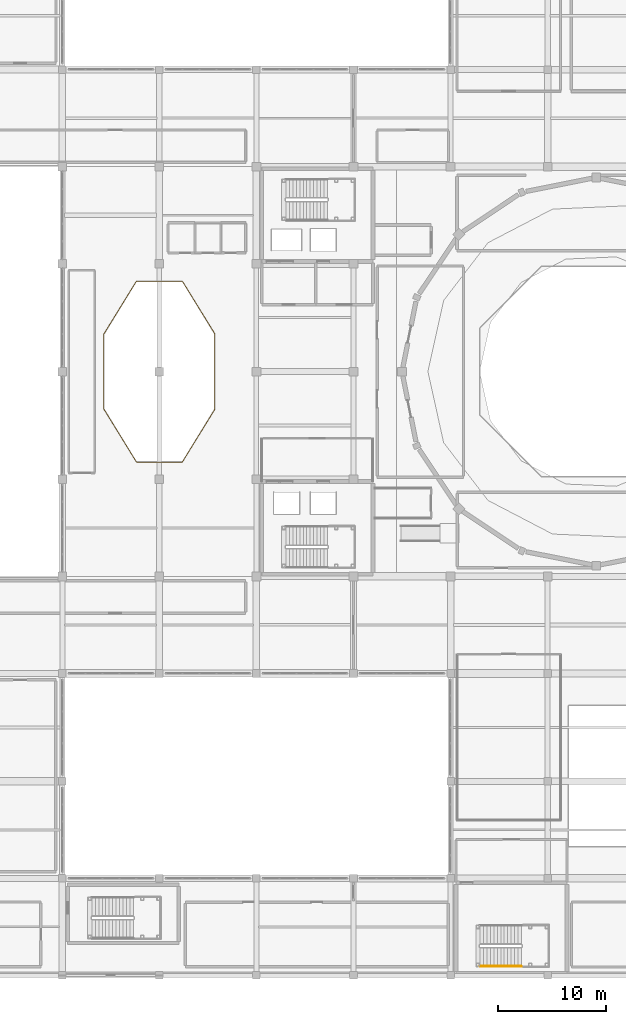
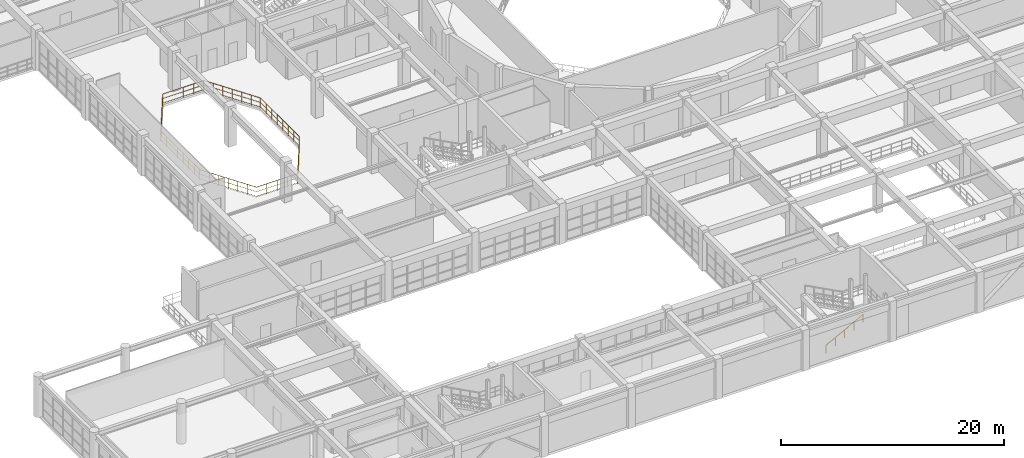
# One storey, part 122 of 133: 2 railings.
"""IFC4 building model written with IfcOpenShell, lengths in metres."""

from ifc_helpers import new_model, si_unit, direction, frame, origin, origin_2d, place, context, subcontext, project, spatial, circle, extrude, material, type_object, element, save


model = new_model("IFC4")

# Units and contexts
model_context = context("Model", 3, precision=1e-05, world=origin(), true_north=direction((0.0, 1.0)))
body_context = subcontext(model_context, "Body", "Model", "MODEL_VIEW")
ifc_project = project(units=[si_unit("LENGTHUNIT", "METRE"), si_unit("AREAUNIT", "SQUARE_METRE"), si_unit("VOLUMEUNIT", "CUBIC_METRE"), si_unit("PLANEANGLEUNIT", "RADIAN"), si_unit("MASSUNIT", "GRAM", prefix="KILO")], contexts=[model_context])

# Site, building, storey
site_placement = place(None, origin())
site = spatial("IfcSite", under=ifc_project, at=site_placement, CompositionType="ELEMENT")
building_placement = place(site_placement, origin())
building = spatial("IfcBuilding", under=site, at=building_placement, Name="Miravela Opera House", CompositionType="ELEMENT")
storey_placement = place(building_placement, frame((0.0, 0.0, 5.10009765625)))
storey = spatial("IfcBuildingStorey", under=building, at=storey_placement, Name="L01", CompositionType="ELEMENT", Elevation=5.10009765625)

# Railings
ifc_material_1 = material(Name="Architectural bronze foyer balustrade")
railing_type_1 = type_object("IfcRailingType", Name="ARC-RAIL-ATRIUM-BAL", PredefinedType="BALUSTRADE", material=ifc_material_1)
railing_1_placement = place(storey_placement, frame((41.1474609375, 59.489013671875, 0.0)))
element("IfcRailing", 1, at=railing_1_placement, inside=storey, type_object=railing_type_1, Name="L01 Void Perimeter Balustrade 0153", PredefinedType="BALUSTRADE", context=body_context, shape_type="SweptSolid", body=[
    extrude(circle(Radius=0.02587890625, at=origin_2d()), frame((0.0, 0.0, 1.11376953125), z_axis=(-0.524773552974, 0.851241868154, 0.0), x_axis=(-0.851241868154, -0.524773552974, 0.0)), (0.0, 0.0, 1.0), 5.760498046875),
    extrude(circle(Radius=0.01611328125, at=origin_2d()), frame((0.0, 0.0, 0.626953125), z_axis=(-0.524773552974, 0.851241868154, 0.0), x_axis=(-0.851241868154, -0.524773552974, 0.0)), (0.0, 0.0, 1.0), 5.760498046875),
    extrude(circle(Radius=0.01611328125, at=origin_2d()), frame((0.0, 0.0, 0.1201171875), z_axis=(-0.524773552974, 0.851241868154, 0.0), x_axis=(-0.851241868154, -0.524773552974, 0.0)), (0.0, 0.0, 1.0), 5.760498046875),
    extrude(circle(Radius=0.02587890625, at=origin_2d()), frame((-3.02294921875, 4.903564453125, 1.11376953125), z_axis=(-1.0, 0.0, 0.0), x_axis=(0.0, -1.0, 0.0)), (0.0, 0.0, 1.0), 4.2490234375),
    extrude(circle(Radius=0.01611328125, at=origin_2d()), frame((-3.02294921875, 4.903564453125, 0.626953125), z_axis=(-1.0, 0.0, 0.0), x_axis=(0.0, -1.0, 0.0)), (0.0, 0.0, 1.0), 4.2490234375),
    extrude(circle(Radius=0.01611328125, at=origin_2d()), frame((-3.02294921875, 4.903564453125, 0.1201171875), z_axis=(-1.0, 0.0, 0.0), x_axis=(0.0, -1.0, 0.0)), (0.0, 0.0, 1.0), 4.2490234375),
    extrude(circle(Radius=0.02587890625, at=origin_2d()), frame((-7.27197265625, 4.903564453125, 1.11376953125), z_axis=(-0.524773552974, -0.851241868154, 0.0), x_axis=(0.851241868154, -0.524773552974, 0.0)), (0.0, 0.0, 1.0), 5.760498046875),
    extrude(circle(Radius=0.01611328125, at=origin_2d()), frame((-7.27197265625, 4.903564453125, 0.626953125), z_axis=(-0.524773552974, -0.851241868154, 0.0), x_axis=(0.851241868154, -0.524773552974, 0.0)), (0.0, 0.0, 1.0), 5.760498046875),
    extrude(circle(Radius=0.01611328125, at=origin_2d()), frame((-7.27197265625, 4.903564453125, 0.1201171875), z_axis=(-0.524773552974, -0.851241868154, 0.0), x_axis=(0.851241868154, -0.524773552974, 0.0)), (0.0, 0.0, 1.0), 5.760498046875),
    extrude(circle(Radius=0.02587890625, at=origin_2d()), frame((-10.294921875, 0.0, 1.11376953125), z_axis=(0.0, -1.0, 0.0), x_axis=(1.0, 0.0, 0.0)), (0.0, 0.0, 1.0), 6.97802734375),
    extrude(circle(Radius=0.01611328125, at=origin_2d()), frame((-10.294921875, 0.0, 0.626953125), z_axis=(0.0, -1.0, 0.0), x_axis=(1.0, 0.0, 0.0)), (0.0, 0.0, 1.0), 6.97802734375),
    extrude(circle(Radius=0.01611328125, at=origin_2d()), frame((-10.294921875, 0.0, 0.1201171875), z_axis=(0.0, -1.0, 0.0), x_axis=(1.0, 0.0, 0.0)), (0.0, 0.0, 1.0), 6.97802734375),
    extrude(circle(Radius=0.02587890625, at=origin_2d()), frame((-10.294921875, -6.97802734375, 1.11376953125), z_axis=(0.524773552974, -0.851241868154, 0.0), x_axis=(0.851241868154, 0.524773552974, 0.0)), (0.0, 0.0, 1.0), 5.760498046875),
    extrude(circle(Radius=0.01611328125, at=origin_2d()), frame((-10.294921875, -6.97802734375, 0.626953125), z_axis=(0.524773552974, -0.851241868154, 0.0), x_axis=(0.851241868154, 0.524773552974, 0.0)), (0.0, 0.0, 1.0), 5.760498046875),
    extrude(circle(Radius=0.01611328125, at=origin_2d()), frame((-10.294921875, -6.97802734375, 0.1201171875), z_axis=(0.524773552974, -0.851241868154, 0.0), x_axis=(0.851241868154, 0.524773552974, 0.0)), (0.0, 0.0, 1.0), 5.760498046875),
    extrude(circle(Radius=0.02587890625, at=origin_2d()), frame((-7.27197265625, -11.881591796875, 1.11376953125), z_axis=(1.0, 0.0, 0.0), x_axis=(0.0, 1.0, 0.0)), (0.0, 0.0, 1.0), 4.2490234375),
    extrude(circle(Radius=0.01611328125, at=origin_2d()), frame((-7.27197265625, -11.881591796875, 0.626953125), z_axis=(1.0, 0.0, 0.0), x_axis=(0.0, 1.0, 0.0)), (0.0, 0.0, 1.0), 4.2490234375),
    extrude(circle(Radius=0.01611328125, at=origin_2d()), frame((-7.27197265625, -11.881591796875, 0.1201171875), z_axis=(1.0, 0.0, 0.0), x_axis=(0.0, 1.0, 0.0)), (0.0, 0.0, 1.0), 4.2490234375),
    extrude(circle(Radius=0.02587890625, at=origin_2d()), frame((-3.02294921875, -11.881591796875, 1.11376953125), z_axis=(0.524773552974, 0.851241868154, 0.0), x_axis=(-0.851241868154, 0.524773552974, 0.0)), (0.0, 0.0, 1.0), 5.760498046875),
    extrude(circle(Radius=0.01611328125, at=origin_2d()), frame((-3.02294921875, -11.881591796875, 0.626953125), z_axis=(0.524773552974, 0.851241868154, 0.0), x_axis=(-0.851241868154, 0.524773552974, 0.0)), (0.0, 0.0, 1.0), 5.760498046875),
    extrude(circle(Radius=0.01611328125, at=origin_2d()), frame((-3.02294921875, -11.881591796875, 0.1201171875), z_axis=(0.524773552974, 0.851241868154, 0.0), x_axis=(-0.851241868154, 0.524773552974, 0.0)), (0.0, 0.0, 1.0), 5.760498046875),
    extrude(circle(Radius=0.02587890625, at=origin_2d()), frame((0.0, -6.97802734375, 1.11376953125), z_axis=(0.0, 1.0, 0.0), x_axis=(-1.0, 0.0, 0.0)), (0.0, 0.0, 1.0), 6.97802734375),
    extrude(circle(Radius=0.01611328125, at=origin_2d()), frame((0.0, -6.97802734375, 0.626953125), z_axis=(0.0, 1.0, 0.0), x_axis=(-1.0, 0.0, 0.0)), (0.0, 0.0, 1.0), 6.97802734375),
    extrude(circle(Radius=0.01611328125, at=origin_2d()), frame((0.0, -6.97802734375, 0.1201171875), z_axis=(0.0, 1.0, 0.0), x_axis=(-1.0, 0.0, 0.0)), (0.0, 0.0, 1.0), 6.97802734375),
    extrude(circle(Radius=0.02099609375, at=origin_2d()), origin(), (0.0, 0.0, 1.0), 1.087890625),
    extrude(circle(Radius=0.02099609375, at=origin_2d()), frame((-0.50390625, 0.8173828125, 0.0)), (0.0, 0.0, 1.0), 1.087890625),
    extrude(circle(Radius=0.02099609375, at=origin_2d()), frame((-1.007568359375, 1.634521484375, 0.0)), (0.0, 0.0, 1.0), 1.087890625),
    extrude(circle(Radius=0.02099609375, at=origin_2d()), frame((-1.511474609375, 2.45166015625, 0.0)), (0.0, 0.0, 1.0), 1.087890625),
    extrude(circle(Radius=0.02099609375, at=origin_2d()), frame((-2.015380859375, 3.26904296875, 0.0)), (0.0, 0.0, 1.0), 1.087890625),
    extrude(circle(Radius=0.02099609375, at=origin_2d()), frame((-2.51904296875, 4.08642578125, 0.0)), (0.0, 0.0, 1.0), 1.087890625),
    extrude(circle(Radius=0.02099609375, at=origin_2d()), frame((-3.02294921875, 4.903564453125, 0.0)), (0.0, 0.0, 1.0), 1.087890625),
    extrude(circle(Radius=0.02099609375, at=origin_2d()), frame((-4.085205078125, 4.903564453125, 0.0)), (0.0, 0.0, 1.0), 1.087890625),
    extrude(circle(Radius=0.02099609375, at=origin_2d()), frame((-5.1474609375, 4.903564453125, 0.0)), (0.0, 0.0, 1.0), 1.087890625),
    extrude(circle(Radius=0.02099609375, at=origin_2d()), frame((-6.209716796875, 4.903564453125, 0.0)), (0.0, 0.0, 1.0), 1.087890625),
    extrude(circle(Radius=0.02099609375, at=origin_2d()), frame((-7.27197265625, 4.903564453125, 0.0)), (0.0, 0.0, 1.0), 1.087890625),
    extrude(circle(Radius=0.02099609375, at=origin_2d()), frame((-7.77587890625, 4.08642578125, 0.0)), (0.0, 0.0, 1.0), 1.087890625),
    extrude(circle(Radius=0.02099609375, at=origin_2d()), frame((-8.279541015625, 3.26904296875, 0.0)), (0.0, 0.0, 1.0), 1.087890625),
    extrude(circle(Radius=0.02099609375, at=origin_2d()), frame((-8.783447265625, 2.45166015625, 0.0)), (0.0, 0.0, 1.0), 1.087890625),
    extrude(circle(Radius=0.02099609375, at=origin_2d()), frame((-9.287353515625, 1.634521484375, 0.0)), (0.0, 0.0, 1.0), 1.087890625),
    extrude(circle(Radius=0.02099609375, at=origin_2d()), frame((-9.791015625, 0.8173828125, 0.0)), (0.0, 0.0, 1.0), 1.087890625),
    extrude(circle(Radius=0.02099609375, at=origin_2d()), frame((-10.294921875, 0.0, 0.0)), (0.0, 0.0, 1.0), 1.087890625),
    extrude(circle(Radius=0.02099609375, at=origin_2d()), frame((-10.294921875, -0.996826171875, 0.0)), (0.0, 0.0, 1.0), 1.087890625),
    extrude(circle(Radius=0.02099609375, at=origin_2d()), frame((-10.294921875, -1.99365234375, 0.0)), (0.0, 0.0, 1.0), 1.087890625),
    extrude(circle(Radius=0.02099609375, at=origin_2d()), frame((-10.294921875, -2.990478515625, 0.0)), (0.0, 0.0, 1.0), 1.087890625),
    extrude(circle(Radius=0.02099609375, at=origin_2d()), frame((-10.294921875, -3.987548828125, 0.0)), (0.0, 0.0, 1.0), 1.087890625),
    extrude(circle(Radius=0.02099609375, at=origin_2d()), frame((-10.294921875, -4.984375, 0.0)), (0.0, 0.0, 1.0), 1.087890625),
    extrude(circle(Radius=0.02099609375, at=origin_2d()), frame((-10.294921875, -5.981201171875, 0.0)), (0.0, 0.0, 1.0), 1.087890625),
    extrude(circle(Radius=0.02099609375, at=origin_2d()), frame((-10.294921875, -6.97802734375, 0.0)), (0.0, 0.0, 1.0), 1.087890625),
    extrude(circle(Radius=0.02099609375, at=origin_2d()), frame((-9.791015625, -7.79541015625, 0.0)), (0.0, 0.0, 1.0), 1.087890625),
    extrude(circle(Radius=0.02099609375, at=origin_2d()), frame((-9.287353515625, -8.612548828125, 0.0)), (0.0, 0.0, 1.0), 1.087890625),
    extrude(circle(Radius=0.02099609375, at=origin_2d()), frame((-8.783447265625, -9.4296875, 0.0)), (0.0, 0.0, 1.0), 1.087890625),
    extrude(circle(Radius=0.02099609375, at=origin_2d()), frame((-8.279541015625, -10.2470703125, 0.0)), (0.0, 0.0, 1.0), 1.087890625),
    extrude(circle(Radius=0.02099609375, at=origin_2d()), frame((-7.77587890625, -11.064453125, 0.0)), (0.0, 0.0, 1.0), 1.087890625),
    extrude(circle(Radius=0.02099609375, at=origin_2d()), frame((-7.27197265625, -11.881591796875, 0.0)), (0.0, 0.0, 1.0), 1.087890625),
    extrude(circle(Radius=0.02099609375, at=origin_2d()), frame((-6.209716796875, -11.881591796875, 0.0)), (0.0, 0.0, 1.0), 1.087890625),
    extrude(circle(Radius=0.02099609375, at=origin_2d()), frame((-5.1474609375, -11.881591796875, 0.0)), (0.0, 0.0, 1.0), 1.087890625),
    extrude(circle(Radius=0.02099609375, at=origin_2d()), frame((-4.085205078125, -11.881591796875, 0.0)), (0.0, 0.0, 1.0), 1.087890625),
    extrude(circle(Radius=0.02099609375, at=origin_2d()), frame((-3.02294921875, -11.881591796875, 0.0)), (0.0, 0.0, 1.0), 1.087890625),
    extrude(circle(Radius=0.02099609375, at=origin_2d()), frame((-2.51904296875, -11.064453125, 0.0)), (0.0, 0.0, 1.0), 1.087890625),
    extrude(circle(Radius=0.02099609375, at=origin_2d()), frame((-2.015380859375, -10.2470703125, 0.0)), (0.0, 0.0, 1.0), 1.087890625),
    extrude(circle(Radius=0.02099609375, at=origin_2d()), frame((-1.511474609375, -9.4296875, 0.0)), (0.0, 0.0, 1.0), 1.087890625),
    extrude(circle(Radius=0.02099609375, at=origin_2d()), frame((-1.007568359375, -8.612548828125, 0.0)), (0.0, 0.0, 1.0), 1.087890625),
    extrude(circle(Radius=0.02099609375, at=origin_2d()), frame((-0.50390625, -7.79541015625, 0.0)), (0.0, 0.0, 1.0), 1.087890625),
    extrude(circle(Radius=0.02099609375, at=origin_2d()), frame((0.0, -6.97802734375, 0.0)), (0.0, 0.0, 1.0), 1.087890625),
    extrude(circle(Radius=0.02099609375, at=origin_2d()), frame((0.0, -5.981201171875, 0.0)), (0.0, 0.0, 1.0), 1.087890625),
    extrude(circle(Radius=0.02099609375, at=origin_2d()), frame((0.0, -4.984375, 0.0)), (0.0, 0.0, 1.0), 1.087890625),
    extrude(circle(Radius=0.02099609375, at=origin_2d()), frame((0.0, -3.987548828125, 0.0)), (0.0, 0.0, 1.0), 1.087890625),
    extrude(circle(Radius=0.02099609375, at=origin_2d()), frame((0.0, -2.990478515625, 0.0)), (0.0, 0.0, 1.0), 1.087890625),
    extrude(circle(Radius=0.02099609375, at=origin_2d()), frame((0.0, -1.99365234375, 0.0)), (0.0, 0.0, 1.0), 1.087890625),
    extrude(circle(Radius=0.02099609375, at=origin_2d()), frame((0.0, -0.996826171875, 0.0)), (0.0, 0.0, 1.0), 1.087890625),
])
ifc_material_2 = material(Name="Brushed bronze continuous stair handrail")
railing_type_2 = type_object("IfcRailingType", Name="ARC-RAIL-HAND-900", PredefinedType="HANDRAIL", material=ifc_material_2)
railing_2_placement = place(storey_placement, frame((65.739990234375, 0.85009765625, 0.169921875)))
element("IfcRailing", 2, at=railing_2_placement, inside=storey, type_object=railing_type_2, Name="L01 ST-06 stair handrail 1", PredefinedType="HANDRAIL", context=body_context, shape_type="SweptSolid", body=[
    extrude(circle(Radius=0.02392578125, at=origin_2d()), frame((0.0, 0.0, 0.8759765625), z_axis=(0.883116446401, 0.0, 0.469153857596), x_axis=(0.0, 1.0, 0.0)), (0.0, 0.0, 1.0), 4.348388671875),
    extrude(circle(Radius=0.02099609375, at=origin_2d()), origin(), (0.0, 0.0, 1.0), 0.851806640625),
    extrude(circle(Radius=0.02099609375, at=origin_2d()), frame((0.9599609375, 0.0, 0.510009765625)), (0.0, 0.0, 1.0), 0.851806640625),
    extrude(circle(Radius=0.02099609375, at=origin_2d()), frame((1.919921875, 0.0, 1.02001953125)), (0.0, 0.0, 1.0), 0.851806640625),
    extrude(circle(Radius=0.02099609375, at=origin_2d()), frame((2.880126953125, 0.0, 1.530029296875)), (0.0, 0.0, 1.0), 0.851806640625),
    extrude(circle(Radius=0.02099609375, at=origin_2d()), frame((3.840087890625, 0.0, 2.0400390625)), (0.0, 0.0, 1.0), 0.851806640625),
])

save(model, "model.ifc")
